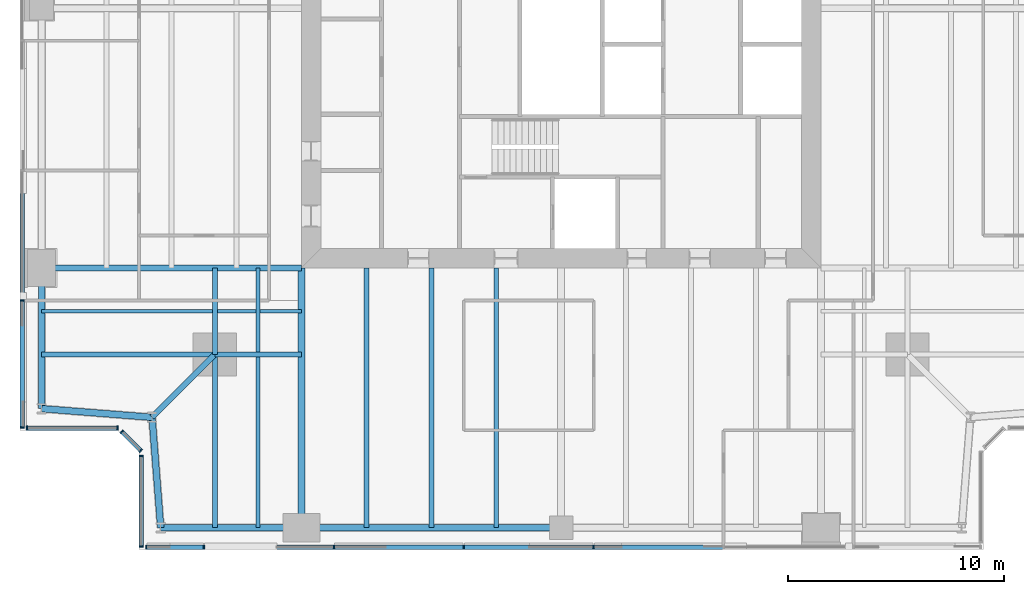
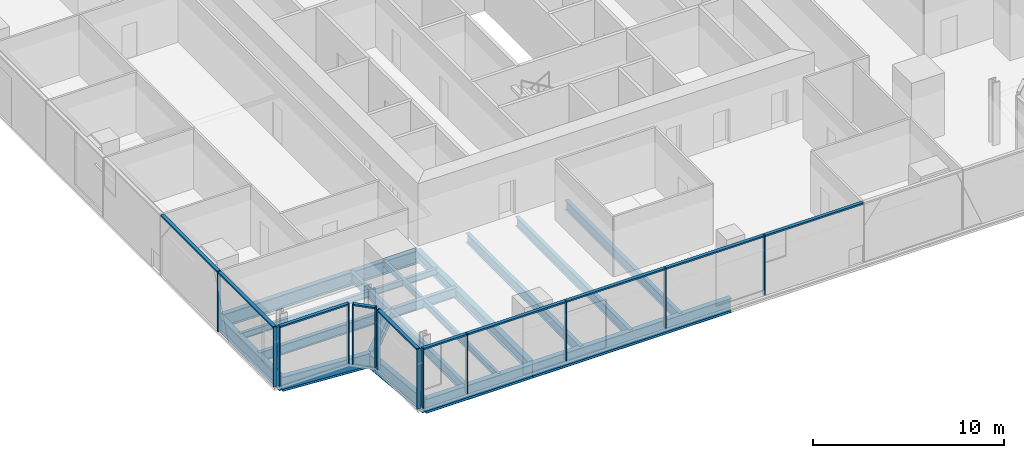
# One storey, part 2 of 14: 23 members, 20 beams, 5 elements without a shape of their own.
"""IFC4 building model written with IfcOpenShell, lengths in metres."""

from ifc_helpers import new_model, si_unit, direction, frame, origin, origin_2d, place, context, subcontext, project, spatial, rectangle, i_section, extrude, material, material_profile, profile_set, type_object, element, aggregate, save


model = new_model("IFC4")

# Units and contexts
model_context = context("Model", 3, precision=1e-05, world=origin(), true_north=direction((0.0, 1.0)))
body_context = subcontext(model_context, "Body", "Model", "MODEL_VIEW")
ifc_project = project(units=[si_unit("LENGTHUNIT", "METRE"), si_unit("AREAUNIT", "SQUARE_METRE"), si_unit("VOLUMEUNIT", "CUBIC_METRE"), si_unit("PLANEANGLEUNIT", "RADIAN"), si_unit("MASSUNIT", "GRAM", prefix="KILO")], contexts=[model_context])

# Site, building, storey
site_placement = place(None, origin())
site = spatial("IfcSite", under=ifc_project, at=site_placement, CompositionType="ELEMENT")
building_placement = place(site_placement, origin())
building = spatial("IfcBuilding", under=site, at=building_placement, Name="Fenwick Lantern Interchange", CompositionType="ELEMENT")
storey_placement = place(building_placement, frame((0.0, 0.0, 221.800048828125)))
storey = spatial("IfcBuildingStorey", under=building, at=storey_placement, Name="L52", CompositionType="ELEMENT", Elevation=221.800048828125)

# Beams
ifc_material_1 = material(Name="Steel ASTM A992 Grade 50", Category="steel")
ifc_material_profile_1 = material_profile(ifc_material_1, i_section(OverallWidth=0.3046875, OverallDepth=0.911865234375, WebThickness=0.015869140625, FlangeThickness=0.02392578125, at=origin_2d()), Name="W36X150")
ifc_profile_set_1 = profile_set([ifc_material_profile_1], Name="Steel ASTM A992 Grade 50")
beam_type_1 = type_object("IfcBeamType", Name="EDGE BEAM W36X150", PredefinedType="SPANDREL", material=ifc_profile_set_1)
beam_1_placement = place(storey_placement, frame((6.5, 1.0, -0.60595703125), z_axis=(1.0, 0.0, 0.0), x_axis=(0.0, 1.0, 0.0)))
element("IfcBeam", 1, at=beam_1_placement, inside=storey, type_object=beam_type_1, Name="L52/FR/S/EB1", PredefinedType="SPANDREL", context=body_context, shape_type="SweptSolid", body=[
    extrude(i_section(OverallWidth=0.3046875, OverallDepth=0.911865234375, WebThickness=0.015869140625, FlangeThickness=0.02392578125, at=origin_2d()), origin(), (0.0, 0.0, 1.0), 6.5),
])
beam_2_placement = place(storey_placement, frame((13.0, 1.0, -0.60595703125), z_axis=(1.0, 0.0, 0.0), x_axis=(0.0, 1.0, 0.0)))
element("IfcBeam", 2, at=beam_2_placement, inside=storey, type_object=beam_type_1, Name="L52/FR/S/EB2", PredefinedType="SPANDREL", context=body_context, shape_type="SweptSolid", body=[
    extrude(i_section(OverallWidth=0.3046875, OverallDepth=0.911865234375, WebThickness=0.015869140625, FlangeThickness=0.02392578125, at=origin_2d()), origin(), (0.0, 0.0, 1.0), 12.0),
])
beam_3_placement = place(storey_placement, frame((1.0, 13.0, -0.60595703125), z_axis=(0.0, -1.0, 0.0), x_axis=(1.0, 0.0, 0.0)))
element("IfcBeam", 3, at=beam_3_placement, inside=storey, type_object=beam_type_1, Name="L52/FR/W/EB4", PredefinedType="SPANDREL", context=body_context, shape_type="SweptSolid", body=[
    extrude(i_section(OverallWidth=0.3046875, OverallDepth=0.911865234375, WebThickness=0.015869140625, FlangeThickness=0.02392578125, at=origin_2d()), origin(), (0.0, 0.0, 1.0), 6.5),
])
for number, where, z_axis, x_axis, name in (
    (4, (1.0, 6.5, -0.60595703125), (0.99693998236, -0.078170784639, 0.0), (0.078170784639, 0.99693998236, 0.0), "L52/FR/W/EBR1"),
    (5, (6.10009765625, 6.10009765625, -0.60595703125), (0.078170784639, -0.99693998236, 0.0), (0.99693998236, 0.078170784639, 0.0), "L52/FR/W/EBR2"),
):
    element("IfcBeam", number, at=place(storey_placement, frame(where, z_axis=z_axis, x_axis=x_axis)), inside=storey, type_object=beam_type_1, Name=name, PredefinedType="SPANDREL", context=body_context, shape_type="SweptSolid", body=[
        extrude(i_section(OverallWidth=0.3046875, OverallDepth=0.911865234375, WebThickness=0.015869140625, FlangeThickness=0.02392578125, at=origin_2d()), origin(), (0.0, 0.0, 1.0), 5.11572265625),
    ])
ifc_material_profile_2 = material_profile(ifc_material_1, i_section(OverallWidth=0.22900390625, OverallDepth=0.612060546875, WebThickness=0.011962890625, FlangeThickness=0.01953125, at=origin_2d()), Name="W24X84")
ifc_profile_set_2 = profile_set([ifc_material_profile_2], Name="Steel ASTM A992 Grade 50")
beam_type_2 = type_object("IfcBeamType", Name="FLOOR BEAM W24X84", PredefinedType="BEAM", material=ifc_profile_set_2)
for number, where, z_axis, x_axis, name in (
    (6, (16.0, 1.0, -0.4560546875), (0.0, 1.0, 0.0), (-1.0, 0.0, 0.0), "L52/FR/S/R02"),
    (7, (19.0, 1.0, -0.4560546875), (0.0, 1.0, 0.0), (-1.0, 0.0, 0.0), "L52/FR/S/R03"),
    (8, (22.0, 1.0, -0.4560546875), (0.0, 1.0, 0.0), (-1.0, 0.0, 0.0), "L52/FR/S/R04"),
):
    element("IfcBeam", number, at=place(storey_placement, frame(where, z_axis=z_axis, x_axis=x_axis)), inside=storey, type_object=beam_type_2, Name=name, PredefinedType="BEAM", context=body_context, shape_type="SweptSolid", body=[
        extrude(i_section(OverallWidth=0.22900390625, OverallDepth=0.612060546875, WebThickness=0.011962890625, FlangeThickness=0.01953125, at=origin_2d()), origin(), (0.0, 0.0, 1.0), 12.0),
    ])
ifc_material_profile_3 = material_profile(ifc_material_1, i_section(OverallWidth=0.177734375, OverallDepth=0.406494140625, WebThickness=0.0078125, FlangeThickness=0.012939453125, at=origin_2d()), Name="W16X40")
ifc_profile_set_3 = profile_set([ifc_material_profile_3], Name="Steel ASTM A992 Grade 50")
beam_type_3 = type_object("IfcBeamType", Name="INFILL BEAM W16X40", PredefinedType="JOIST", material=ifc_profile_set_3)
beam_4_placement = place(storey_placement, frame((11.0, 1.0, -0.353271484375), z_axis=(0.0, 1.0, 0.0), x_axis=(-1.0, 0.0, 0.0)))
element("IfcBeam", 9, at=beam_4_placement, inside=storey, type_object=beam_type_3, Name="L52/FR/S/J1", PredefinedType="JOIST", context=body_context, shape_type="SweptSolid", body=[
    extrude(i_section(OverallWidth=0.177734375, OverallDepth=0.406494140625, WebThickness=0.0078125, FlangeThickness=0.012939453125, at=origin_2d()), origin(), (0.0, 0.0, 1.0), 7.885498046875),
])
beam_5_placement = place(storey_placement, frame((11.0, 9.114501953125, -0.353271484375), z_axis=(0.0, 1.0, 0.0), x_axis=(-1.0, 0.0, 0.0)))
element("IfcBeam", 10, at=beam_5_placement, inside=storey, type_object=beam_type_3, Name="L52/FR/S/J2", PredefinedType="JOIST", context=body_context, shape_type="SweptSolid", body=[
    extrude(i_section(OverallWidth=0.177734375, OverallDepth=0.406494140625, WebThickness=0.0078125, FlangeThickness=0.012939453125, at=origin_2d()), origin(), (0.0, 0.0, 1.0), 3.885498046875),
])
beam_6_placement = place(storey_placement, frame((1.0, 11.0, -0.353271484375), z_axis=(1.0, 0.0, 0.0), x_axis=(0.0, 1.0, 0.0)))
element("IfcBeam", 11, at=beam_6_placement, inside=storey, type_object=beam_type_3, Name="L52/FR/S/J3", PredefinedType="JOIST", context=body_context, shape_type="SweptSolid", body=[
    extrude(i_section(OverallWidth=0.177734375, OverallDepth=0.406494140625, WebThickness=0.0078125, FlangeThickness=0.012939453125, at=origin_2d()), origin(), (0.0, 0.0, 1.0), 7.885498046875),
])
beam_7_placement = place(storey_placement, frame((9.114501953125, 11.0, -0.353271484375), z_axis=(1.0, 0.0, 0.0), x_axis=(0.0, 1.0, 0.0)))
element("IfcBeam", 12, at=beam_7_placement, inside=storey, type_object=beam_type_3, Name="L52/FR/S/J4", PredefinedType="JOIST", context=body_context, shape_type="SweptSolid", body=[
    extrude(i_section(OverallWidth=0.177734375, OverallDepth=0.406494140625, WebThickness=0.0078125, FlangeThickness=0.012939453125, at=origin_2d()), origin(), (0.0, 0.0, 1.0), 1.796630859375),
])
beam_8_placement = place(storey_placement, frame((11.0888671875, 11.0, -0.353271484375), z_axis=(1.0, 0.0, 0.0), x_axis=(0.0, 1.0, 0.0)))
element("IfcBeam", 13, at=beam_8_placement, inside=storey, type_object=beam_type_3, Name="L52/FR/S/J5", PredefinedType="JOIST", context=body_context, shape_type="SweptSolid", body=[
    extrude(i_section(OverallWidth=0.177734375, OverallDepth=0.406494140625, WebThickness=0.0078125, FlangeThickness=0.012939453125, at=origin_2d()), origin(), (0.0, 0.0, 1.0), 1.9111328125),
])
ifc_material_profile_4 = material_profile(ifc_material_1, i_section(OverallWidth=0.22900390625, OverallDepth=0.612060546875, WebThickness=0.011962890625, FlangeThickness=0.01953125, at=origin_2d()), Name="W24X84")
ifc_profile_set_4 = profile_set([ifc_material_profile_4], Name="Steel ASTM A992 Grade 50")
beam_type_4 = type_object("IfcBeamType", Name="MEGA COLUMN BEAM W24X84", PredefinedType="BEAM", material=ifc_profile_set_4)
for number, where, z_axis, x_axis, name in (
    (14, (9.0, 9.0, -0.4560546875), (0.0, -1.0, 0.0), (1.0, 0.0, 0.0), "L52/FR/S/MB1"),
    (15, (9.0, 9.0, -0.4560546875), (-1.0, 0.0, 0.0), (0.0, -1.0, 0.0), "L52/FR/S/MB2"),
):
    element("IfcBeam", number, at=place(storey_placement, frame(where, z_axis=z_axis, x_axis=x_axis)), inside=storey, type_object=beam_type_4, Name=name, PredefinedType="BEAM", context=body_context, shape_type="SweptSolid", body=[
        extrude(i_section(OverallWidth=0.22900390625, OverallDepth=0.612060546875, WebThickness=0.011962890625, FlangeThickness=0.01953125, at=origin_2d()), origin(), (0.0, 0.0, 1.0), 8.0),
    ])
for number, where, z_axis, x_axis, name in (
    (16, (9.0, 9.0, -0.4560546875), (1.0, 0.0, 0.0), (0.0, 1.0, 0.0), "L52/FR/S/MB3"),
    (17, (9.0, 9.0, -0.4560546875), (0.0, 1.0, 0.0), (-1.0, 0.0, 0.0), "L52/FR/S/MB4"),
):
    element("IfcBeam", number, at=place(storey_placement, frame(where, z_axis=z_axis, x_axis=x_axis)), inside=storey, type_object=beam_type_4, Name=name, PredefinedType="BEAM", context=body_context, shape_type="SweptSolid", body=[
        extrude(i_section(OverallWidth=0.22900390625, OverallDepth=0.612060546875, WebThickness=0.011962890625, FlangeThickness=0.01953125, at=origin_2d()), origin(), (0.0, 0.0, 1.0), 4.0),
    ])
ifc_material_profile_5 = material_profile(ifc_material_1, i_section(OverallWidth=0.32763671875, OverallDepth=0.622314453125, WebThickness=0.015380859375, FlangeThickness=0.0244140625, at=origin_2d()), Name="W24X131")
ifc_profile_set_5 = profile_set([ifc_material_profile_5], Name="Steel ASTM A992 Grade 50")
beam_type_5 = type_object("IfcBeamType", Name="MOMENT-CONNECTED GIRDER W24X131", PredefinedType="BEAM", material=ifc_profile_set_5)
beam_9_placement = place(storey_placement, frame((13.0, 1.0, -0.461181640625), z_axis=(0.0, 1.0, 0.0), x_axis=(-1.0, 0.0, 0.0)))
element("IfcBeam", 18, at=beam_9_placement, inside=storey, type_object=beam_type_5, Name="L52/FR/S/R01", PredefinedType="BEAM", context=body_context, shape_type="SweptSolid", body=[
    extrude(i_section(OverallWidth=0.32763671875, OverallDepth=0.622314453125, WebThickness=0.015380859375, FlangeThickness=0.0244140625, at=origin_2d()), origin(), (0.0, 0.0, 1.0), 12.0),
])
ifc_material_profile_6 = material_profile(ifc_material_1, i_section(OverallWidth=0.2919921875, OverallDepth=0.845703125, WebThickness=0.015380859375, FlangeThickness=0.0244140625, at=origin_2d()), Name="W33X141")
ifc_profile_set_6 = profile_set([ifc_material_profile_6], Name="Steel ASTM A992 Grade 50")
beam_type_6 = type_object("IfcBeamType", Name="MOMENT-CONNECTED GIRDER W33X141", PredefinedType="BEAM", material=ifc_profile_set_6)
beam_10_placement = place(storey_placement, frame((1.0, 13.0, -0.572998046875), z_axis=(1.0, 0.0, 0.0), x_axis=(0.0, 1.0, 0.0)))
element("IfcBeam", 19, at=beam_10_placement, inside=storey, type_object=beam_type_6, Name="L52/FR/W/R03", PredefinedType="BEAM", context=body_context, shape_type="SweptSolid", body=[
    extrude(i_section(OverallWidth=0.2919921875, OverallDepth=0.845703125, WebThickness=0.015380859375, FlangeThickness=0.0244140625, at=origin_2d()), origin(), (0.0, 0.0, 1.0), 12.0),
])
ifc_material_profile_7 = material_profile(ifc_material_1, i_section(OverallWidth=0.2666015625, OverallDepth=0.7568359375, WebThickness=0.013916015625, FlangeThickness=0.019287109375, at=origin_2d()), Name="W30X108")
ifc_profile_set_7 = profile_set([ifc_material_profile_7], Name="Steel ASTM A992 Grade 50")
beam_type_7 = type_object("IfcBeamType", Name="NOTCH BEAM W30X108", PredefinedType="BEAM", material=ifc_profile_set_7)
beam_11_placement = place(storey_placement, frame((9.0, 9.0, -0.528564453125), z_axis=(-0.707106781187, -0.707106781187, 0.0), x_axis=(0.707106781187, -0.707106781187, 0.0)))
element("IfcBeam", 20, at=beam_11_placement, inside=storey, type_object=beam_type_7, Name="L52/FR/S/TG", PredefinedType="BEAM", context=body_context, shape_type="SweptSolid", body=[
    extrude(i_section(OverallWidth=0.2666015625, OverallDepth=0.7568359375, WebThickness=0.013916015625, FlangeThickness=0.019287109375, at=origin_2d()), origin(), (0.0, 0.0, 1.0), 4.10107421875),
])

# Curtain wall, members
ifc_material_2 = material(Name="Aluminium curtain wall frame", Category="aluminium")
curtain_wall_type = type_object("IfcCurtainWallType", Name="OFFICE CURTAIN WALL", PredefinedType="USERDEFINED", material=ifc_material_2)
curtain_wall_1_placement = place(storey_placement, origin())
curtain_wall_1 = element("IfcCurtainWall", 21, at=curtain_wall_1_placement, inside=storey, type_object=curtain_wall_type, Name="Office curtain wall 01", ObjectType="OFFICE CURTAIN WALL", PredefinedType="USERDEFINED")
ifc_material_3 = material(Name="Aluminium extrusion", Category="aluminium")
ifc_material_profile_8 = material_profile(ifc_material_3, rectangle(XDim=0.199951171875, YDim=0.06494140625, at=origin_2d()), Name="OFFICE CURTAIN WALL MULLION 65 X 200")
ifc_profile_set_8 = profile_set([ifc_material_profile_8], Name="Aluminium extrusion")
member_type_1 = type_object("IfcMemberType", Name="OFFICE CURTAIN WALL MULLION 65 X 200", PredefinedType="MULLION", material=ifc_profile_set_8)
member_1_placement = place(storey_placement, frame((5.83251953125, 0.10009765625, 0.0), z_axis=(0.0, 0.0, 1.0), x_axis=(0.0, 1.0, 0.0)))
member_1 = element("IfcMember", 22, at=member_1_placement, type_object=member_type_1, Name="L52/CW/01/M00", PredefinedType="MULLION", context=body_context, shape_type="SweptSolid", body=[
    extrude(rectangle(XDim=0.199951171875, YDim=0.06494140625, at=origin_2d()), origin(), (0.0, 0.0, 1.0), 3.849853515625),
])
member_2_placement = place(storey_placement, frame((8.5, 0.10009765625, 0.0), z_axis=(0.0, 0.0, 1.0), x_axis=(0.0, 1.0, 0.0)))
member_2 = element("IfcMember", 23, at=member_2_placement, type_object=member_type_1, Name="L52/CW/01/M01", PredefinedType="MULLION", context=body_context, shape_type="SweptSolid", body=[
    extrude(rectangle(XDim=0.199951171875, YDim=0.06494140625, at=origin_2d()), origin(), (0.0, 0.0, 1.0), 3.849853515625),
])
member_3_placement = place(storey_placement, frame((14.5, 0.10009765625, 0.0), z_axis=(0.0, 0.0, 1.0), x_axis=(0.0, 1.0, 0.0)))
member_3 = element("IfcMember", 24, at=member_3_placement, type_object=member_type_1, Name="L52/CW/01/M02", PredefinedType="MULLION", context=body_context, shape_type="SweptSolid", body=[
    extrude(rectangle(XDim=0.199951171875, YDim=0.06494140625, at=origin_2d()), origin(), (0.0, 0.0, 1.0), 3.849853515625),
])
member_4_placement = place(storey_placement, frame((20.5, 0.10009765625, 0.0), z_axis=(0.0, 0.0, 1.0), x_axis=(0.0, 1.0, 0.0)))
member_4 = element("IfcMember", 25, at=member_4_placement, type_object=member_type_1, Name="L52/CW/01/M03", PredefinedType="MULLION", context=body_context, shape_type="SweptSolid", body=[
    extrude(rectangle(XDim=0.199951171875, YDim=0.06494140625, at=origin_2d()), origin(), (0.0, 0.0, 1.0), 3.849853515625),
])
member_5_placement = place(storey_placement, frame((26.5, 0.10009765625, 0.0), z_axis=(0.0, 0.0, 1.0), x_axis=(0.0, 1.0, 0.0)))
member_5 = element("IfcMember", 26, at=member_5_placement, type_object=member_type_1, Name="L52/CW/01/M04", PredefinedType="MULLION", context=body_context, shape_type="SweptSolid", body=[
    extrude(rectangle(XDim=0.199951171875, YDim=0.06494140625, at=origin_2d()), origin(), (0.0, 0.0, 1.0), 3.849853515625),
])

curtain_wall_2_placement = place(storey_placement, origin())
curtain_wall_2 = element("IfcCurtainWall", 27, at=curtain_wall_2_placement, inside=storey, type_object=curtain_wall_type, Name="Office curtain wall 13", ObjectType="OFFICE CURTAIN WALL", PredefinedType="USERDEFINED")
member_6_placement = place(storey_placement, frame((0.10009765625, 11.5, 0.0), z_axis=(0.0, 0.0, 1.0), x_axis=(1.0, 0.0, 0.0)))
member_6 = element("IfcMember", 28, at=member_6_placement, type_object=member_type_1, Name="L52/CW/13/M06", PredefinedType="MULLION", context=body_context, shape_type="SweptSolid", body=[
    extrude(rectangle(XDim=0.199951171875, YDim=0.06494140625, at=origin_2d()), origin(), (0.0, 0.0, 1.0), 3.849853515625),
])
member_7_placement = place(storey_placement, frame((0.10009765625, 5.632568359375, 0.0), z_axis=(0.0, 0.0, 1.0), x_axis=(1.0, 0.0, 0.0)))
member_7 = element("IfcMember", 29, at=member_7_placement, type_object=member_type_1, Name="L52/CW/13/M07", PredefinedType="MULLION", context=body_context, shape_type="SweptSolid", body=[
    extrude(rectangle(XDim=0.199951171875, YDim=0.06494140625, at=origin_2d()), origin(), (0.0, 0.0, 1.0), 3.849853515625),
])

curtain_wall_3_placement = place(storey_placement, origin())
curtain_wall_3 = element("IfcCurtainWall", 30, at=curtain_wall_3_placement, inside=storey, type_object=curtain_wall_type, Name="Office curtain wall 14", ObjectType="OFFICE CURTAIN WALL", PredefinedType="USERDEFINED")
member_8_placement = place(storey_placement, frame((0.33251953125, 5.60009765625, 0.0), z_axis=(0.0, 0.0, 1.0), x_axis=(0.0, 1.0, 0.0)))
member_8 = element("IfcMember", 31, at=member_8_placement, type_object=member_type_1, Name="L52/CW/14/M00", PredefinedType="MULLION", context=body_context, shape_type="SweptSolid", body=[
    extrude(rectangle(XDim=0.199951171875, YDim=0.06494140625, at=origin_2d()), origin(), (0.0, 0.0, 1.0), 3.849853515625),
])
member_9_placement = place(storey_placement, frame((4.509033203125, 5.60009765625, 0.0), z_axis=(0.0, 0.0, 1.0), x_axis=(0.0, 1.0, 0.0)))
member_9 = element("IfcMember", 32, at=member_9_placement, type_object=member_type_1, Name="L52/CW/14/M01", PredefinedType="MULLION", context=body_context, shape_type="SweptSolid", body=[
    extrude(rectangle(XDim=0.199951171875, YDim=0.06494140625, at=origin_2d()), origin(), (0.0, 0.0, 1.0), 3.849853515625),
])

curtain_wall_4_placement = place(storey_placement, origin())
curtain_wall_4 = element("IfcCurtainWall", 33, at=curtain_wall_4_placement, inside=storey, type_object=curtain_wall_type, Name="Office curtain wall 15", ObjectType="OFFICE CURTAIN WALL", PredefinedType="USERDEFINED")
member_10_placement = place(storey_placement, frame((4.705810546875, 5.435546875, 0.0), z_axis=(0.0, 0.0, 1.0), x_axis=(0.707106781187, 0.707106781187, 0.0)))
member_10 = element("IfcMember", 34, at=member_10_placement, type_object=member_type_1, Name="L52/CW/15/M00", PredefinedType="MULLION", context=body_context, shape_type="SweptSolid", body=[
    extrude(rectangle(XDim=0.199951171875, YDim=0.06494140625, at=origin_2d()), origin(), (0.0, 0.0, 1.0), 3.849853515625),
])
member_11_placement = place(storey_placement, frame((5.576904296875, 4.564453125, 0.0), z_axis=(0.0, 0.0, 1.0), x_axis=(0.707106781187, 0.707106781187, 0.0)))
member_11 = element("IfcMember", 35, at=member_11_placement, type_object=member_type_1, Name="L52/CW/15/M01", PredefinedType="MULLION", context=body_context, shape_type="SweptSolid", body=[
    extrude(rectangle(XDim=0.199951171875, YDim=0.06494140625, at=origin_2d()), origin(), (0.0, 0.0, 1.0), 3.849853515625),
])

curtain_wall_5_placement = place(storey_placement, origin())
curtain_wall_5 = element("IfcCurtainWall", 36, at=curtain_wall_5_placement, inside=storey, type_object=curtain_wall_type, Name="Office curtain wall 16", ObjectType="OFFICE CURTAIN WALL", PredefinedType="USERDEFINED")
member_12_placement = place(storey_placement, frame((5.60009765625, 4.308837890625, 0.0), z_axis=(0.0, 0.0, 1.0), x_axis=(1.0, 0.0, 0.0)))
member_12 = element("IfcMember", 37, at=member_12_placement, type_object=member_type_1, Name="L52/CW/16/M00", PredefinedType="MULLION", context=body_context, shape_type="SweptSolid", body=[
    extrude(rectangle(XDim=0.199951171875, YDim=0.06494140625, at=origin_2d()), origin(), (0.0, 0.0, 1.0), 3.849853515625),
])
member_13_placement = place(storey_placement, frame((5.60009765625, 0.132568359375, 0.0), z_axis=(0.0, 0.0, 1.0), x_axis=(1.0, 0.0, 0.0)))
member_13 = element("IfcMember", 38, at=member_13_placement, type_object=member_type_1, Name="L52/CW/16/M01", PredefinedType="MULLION", context=body_context, shape_type="SweptSolid", body=[
    extrude(rectangle(XDim=0.199951171875, YDim=0.06494140625, at=origin_2d()), origin(), (0.0, 0.0, 1.0), 3.849853515625),
])

# Member
ifc_material_profile_9 = material_profile(ifc_material_3, rectangle(XDim=0.199951171875, YDim=0.10009765625, at=origin_2d()), Name="OFFICE CURTAIN WALL TRANSOM 100 X 200")
ifc_profile_set_9 = profile_set([ifc_material_profile_9], Name="Aluminium extrusion")
member_type_2 = type_object("IfcMemberType", Name="OFFICE CURTAIN WALL TRANSOM 100 X 200", PredefinedType="MULLION", material=ifc_profile_set_9)
member_14_placement = place(storey_placement, frame((5.864990234375, 0.10009765625, 3.800048828125), z_axis=(1.0, 0.0, 0.0), x_axis=(0.0, 1.0, 0.0)))
member_14 = element("IfcMember", 39, at=member_14_placement, type_object=member_type_2, Name="L52/CW/01/T00", PredefinedType="MULLION", context=body_context, shape_type="SweptSolid", body=[
    extrude(rectangle(XDim=0.199951171875, YDim=0.10009765625, at=origin_2d()), origin(), (0.0, 0.0, 1.0), 2.6025390625),
])

member_15_placement = place(storey_placement, frame((8.532470703125, 0.10009765625, 3.800048828125), z_axis=(1.0, 0.0, 0.0), x_axis=(0.0, 1.0, 0.0)))
member_15 = element("IfcMember", 40, at=member_15_placement, type_object=member_type_2, Name="L52/CW/01/T01", PredefinedType="MULLION", context=body_context, shape_type="SweptSolid", body=[
    extrude(rectangle(XDim=0.199951171875, YDim=0.10009765625, at=origin_2d()), origin(), (0.0, 0.0, 1.0), 5.93505859375),
])

member_16_placement = place(storey_placement, frame((14.532470703125, 0.10009765625, 3.800048828125), z_axis=(1.0, 0.0, 0.0), x_axis=(0.0, 1.0, 0.0)))
member_16 = element("IfcMember", 41, at=member_16_placement, type_object=member_type_2, Name="L52/CW/01/T02", PredefinedType="MULLION", context=body_context, shape_type="SweptSolid", body=[
    extrude(rectangle(XDim=0.199951171875, YDim=0.10009765625, at=origin_2d()), origin(), (0.0, 0.0, 1.0), 5.93505859375),
])

member_17_placement = place(storey_placement, frame((20.532470703125, 0.10009765625, 3.800048828125), z_axis=(1.0, 0.0, 0.0), x_axis=(0.0, 1.0, 0.0)))
member_17 = element("IfcMember", 42, at=member_17_placement, type_object=member_type_2, Name="L52/CW/01/T03", PredefinedType="MULLION", context=body_context, shape_type="SweptSolid", body=[
    extrude(rectangle(XDim=0.199951171875, YDim=0.10009765625, at=origin_2d()), origin(), (0.0, 0.0, 1.0), 5.93505859375),
])

member_18_placement = place(storey_placement, frame((26.532470703125, 0.10009765625, 3.800048828125), z_axis=(1.0, 0.0, 0.0), x_axis=(0.0, 1.0, 0.0)))
member_18 = element("IfcMember", 43, at=member_18_placement, type_object=member_type_2, Name="L52/CW/01/T04", PredefinedType="MULLION", context=body_context, shape_type="SweptSolid", body=[
    extrude(rectangle(XDim=0.199951171875, YDim=0.10009765625, at=origin_2d()), origin(), (0.0, 0.0, 1.0), 5.93505859375),
])

aggregate(curtain_wall_1, [member_1, member_2, member_3, member_4, member_5, member_14, member_15, member_16, member_17, member_18])

member_19_placement = place(storey_placement, frame((0.10009765625, 17.467529296875, 3.800048828125), z_axis=(0.0, -1.0, 0.0), x_axis=(1.0, 0.0, 0.0)))
member_19 = element("IfcMember", 44, at=member_19_placement, type_object=member_type_2, Name="L52/CW/13/T05", PredefinedType="MULLION", context=body_context, shape_type="SweptSolid", body=[
    extrude(rectangle(XDim=0.199951171875, YDim=0.10009765625, at=origin_2d()), origin(), (0.0, 0.0, 1.0), 5.93505859375),
])

member_20_placement = place(storey_placement, frame((0.10009765625, 11.467529296875, 3.800048828125), z_axis=(0.0, -1.0, 0.0), x_axis=(1.0, 0.0, 0.0)))
member_20 = element("IfcMember", 45, at=member_20_placement, type_object=member_type_2, Name="L52/CW/13/T06", PredefinedType="MULLION", context=body_context, shape_type="SweptSolid", body=[
    extrude(rectangle(XDim=0.199951171875, YDim=0.10009765625, at=origin_2d()), origin(), (0.0, 0.0, 1.0), 5.802490234375),
])

aggregate(curtain_wall_2, [member_6, member_7, member_19, member_20])

member_21_placement = place(storey_placement, frame((0.364990234375, 5.60009765625, 3.800048828125), z_axis=(1.0, 0.0, 0.0), x_axis=(0.0, 1.0, 0.0)))
member_21 = element("IfcMember", 46, at=member_21_placement, type_object=member_type_2, Name="L52/CW/14/T00", PredefinedType="MULLION", context=body_context, shape_type="SweptSolid", body=[
    extrude(rectangle(XDim=0.199951171875, YDim=0.10009765625, at=origin_2d()), origin(), (0.0, 0.0, 1.0), 4.111328125),
])

aggregate(curtain_wall_3, [member_8, member_9, member_21])

member_22_placement = place(storey_placement, frame((4.728759765625, 5.41259765625, 3.800048828125), z_axis=(0.707106781187, -0.707106781187, 0.0), x_axis=(0.707106781187, 0.707106781187, 0.0)))
member_22 = element("IfcMember", 47, at=member_22_placement, type_object=member_type_2, Name="L52/CW/15/T00", PredefinedType="MULLION", context=body_context, shape_type="SweptSolid", body=[
    extrude(rectangle(XDim=0.199951171875, YDim=0.10009765625, at=origin_2d()), origin(), (0.0, 0.0, 1.0), 1.1669921875),
])

aggregate(curtain_wall_4, [member_10, member_11, member_22])

member_23_placement = place(storey_placement, frame((5.60009765625, 4.2763671875, 3.800048828125), z_axis=(0.0, -1.0, 0.0), x_axis=(1.0, 0.0, 0.0)))
member_23 = element("IfcMember", 48, at=member_23_placement, type_object=member_type_2, Name="L52/CW/16/T00", PredefinedType="MULLION", context=body_context, shape_type="SweptSolid", body=[
    extrude(rectangle(XDim=0.199951171875, YDim=0.10009765625, at=origin_2d()), origin(), (0.0, 0.0, 1.0), 4.111328125),
])

aggregate(curtain_wall_5, [member_12, member_13, member_23])

save(model, "model.ifc")
